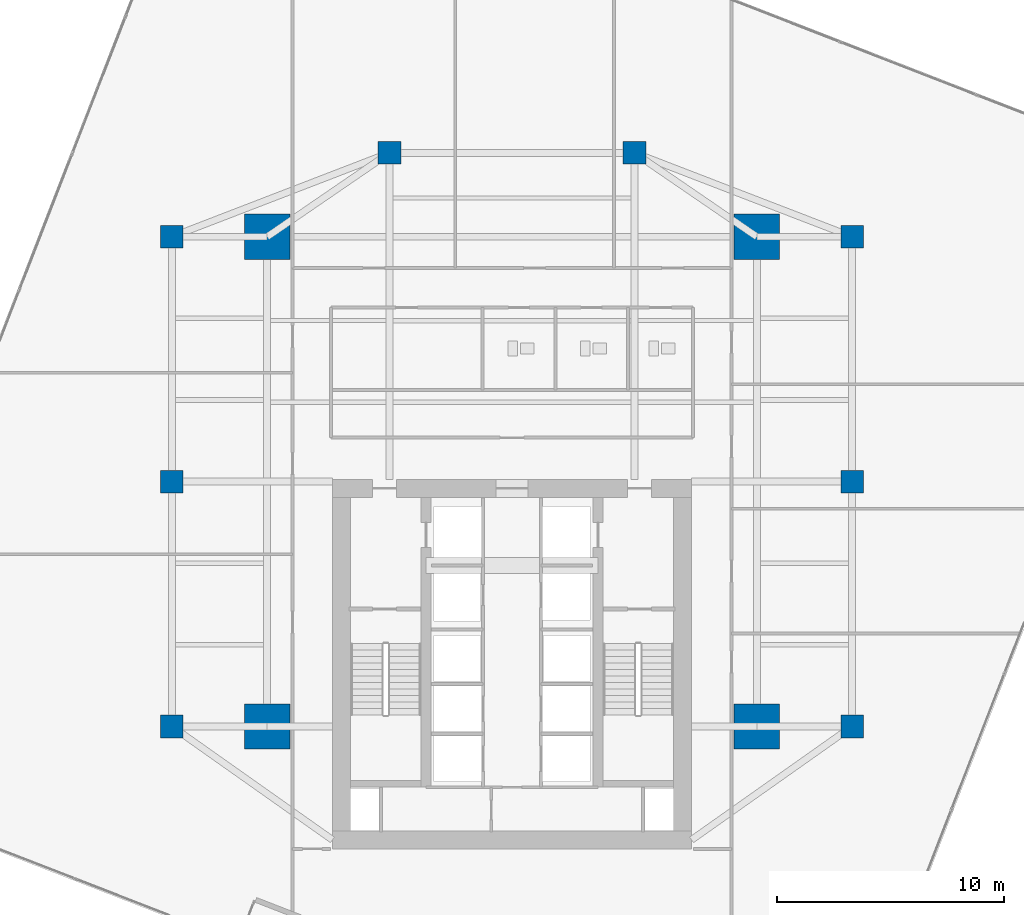
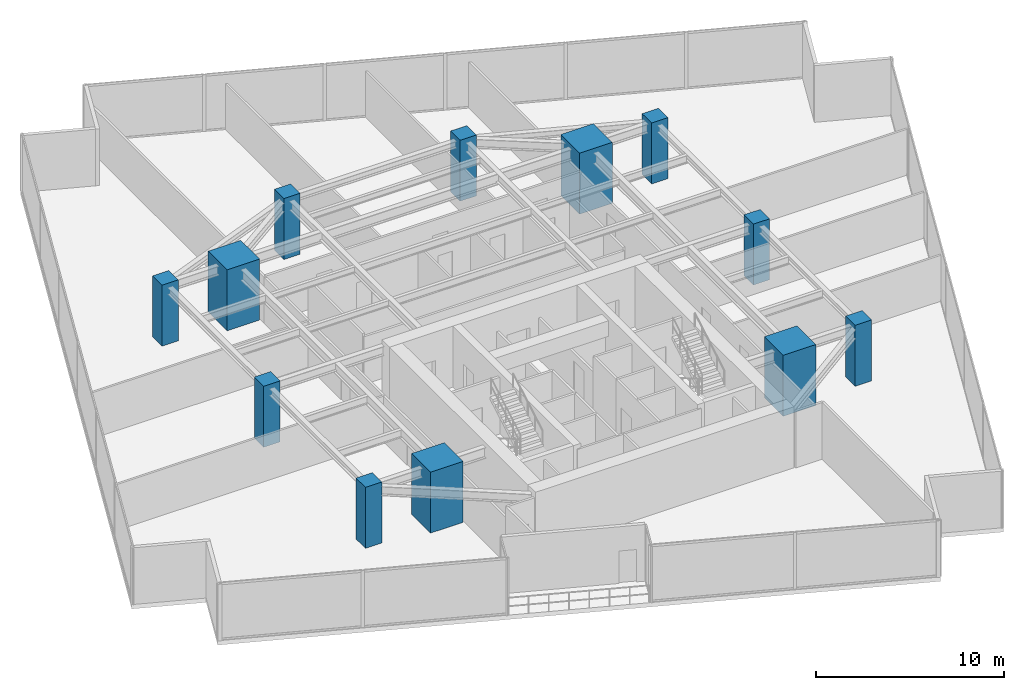
# One storey, part 1 of 26: 12 columns.
"""IFC4 building model written with IfcOpenShell, lengths in metres."""

from ifc_helpers import new_model, si_unit, direction, frame, origin, origin_2d, place, context, subcontext, project, spatial, rectangle, extrude, source, transform, mapped, material, material_profile, profile_set, type_object, type_shapes, element, save


model = new_model("IFC4")

# Units and contexts
model_context = context("Model", 3, precision=1e-05, world=origin(), true_north=direction((0.0, 1.0)))
body_context = subcontext(model_context, "Body", "Model", "MODEL_VIEW")
ifc_project = project(units=[si_unit("LENGTHUNIT", "METRE"), si_unit("AREAUNIT", "SQUARE_METRE"), si_unit("VOLUMEUNIT", "CUBIC_METRE"), si_unit("PLANEANGLEUNIT", "RADIAN"), si_unit("MASSUNIT", "GRAM", prefix="KILO")], contexts=[model_context])

# Site, building, storey
site_placement = place(None, origin())
site = spatial("IfcSite", under=ifc_project, at=site_placement, CompositionType="ELEMENT")
building_placement = place(site_placement, origin())
building = spatial("IfcBuilding", under=site, at=building_placement, Name="Krantzveldt Concourse Tower", CompositionType="ELEMENT")
storey_placement = place(building_placement, frame((0.0, 0.0, 133.5)))
storey = spatial("IfcBuildingStorey", under=building, at=storey_placement, Name="L32", CompositionType="ELEMENT", Elevation=133.5)

# Columns
ifc_material = material(Name="Concrete C60/75", Category="concrete")
ifc_material_profile_1 = material_profile(ifc_material, rectangle(XDim=2.0, YDim=2.0, at=origin_2d()), Name="Concrete C60/75", Category="concrete")
ifc_profile_set_1 = profile_set([ifc_material_profile_1], Name="Concrete C60/75 - RC 2000x2000")
column_type_1 = type_object("IfcColumnType", Name="COL-MC-2000", PredefinedType="USERDEFINED", material=ifc_profile_set_1)
shared_shape_1 = source(origin(), body_context, "Body", "SweptSolid", [
    extrude(rectangle(XDim=2.0, YDim=2.0, at=origin_2d()), origin(), (0.0, 0.0, 1.0), 3.949951171875),
])
type_shapes(column_type_1, [shared_shape_1])
for number, where, z_axis, x_axis, name in (
    (1, (25.199951171875, 15.89990234375, 0.0), (0.0, 0.0, 1.0), (1.0, 0.0, 0.0), "MC-SW-L32"),
    (2, (46.800048828125, 15.89990234375, 0.0), (0.0, 0.0, 1.0), (1.0, 0.0, 0.0), "MC-SE-L32"),
    (3, (46.800048828125, 37.5, 0.0), (0.0, 0.0, 1.0), (1.0, 0.0, 0.0), "MC-NE-L32"),
    (4, (25.199951171875, 37.5, 0.0), (0.0, 0.0, 1.0), (1.0, 0.0, 0.0), "MC-NW-L32"),
):
    element("IfcColumn", number, at=place(storey_placement, frame(where, z_axis=z_axis, x_axis=x_axis)), inside=storey, type_object=column_type_1, Name=name, ObjectType="MEGA COLUMN", PredefinedType="USERDEFINED", context=body_context, shape_type="MappedRepresentation", body=[
        mapped(shared_shape_1, transform((0.0, 0.0, 0.0), x_axis=(1.0, 0.0, 0.0), y_axis=(0.0, 1.0, 0.0), z_axis=(0.0, 0.0, 1.0), scale=1.0)),
    ])
ifc_material_profile_2 = material_profile(ifc_material, rectangle(XDim=1.0, YDim=1.0, at=origin_2d()), Name="Concrete C60/75", Category="concrete")
ifc_profile_set_2 = profile_set([ifc_material_profile_2], Name="Concrete C60/75 - RC 1000x1000")
column_type_2 = type_object("IfcColumnType", Name="COL-C-Z2", PredefinedType="COLUMN", material=ifc_profile_set_2)
shared_shape_2 = source(origin(), body_context, "Body", "SweptSolid", [
    extrude(rectangle(XDim=1.0, YDim=1.0, at=origin_2d()), origin(), (0.0, 0.0, 1.0), 3.949951171875),
])
type_shapes(column_type_2, [shared_shape_2])
for number, where, z_axis, x_axis, name in (
    (5, (21.0, 15.89990234375, 0.0), (0.0, 0.0, 1.0), (1.0, 0.0, 0.0), "PC-R01-L32"),
    (6, (21.0, 26.699951171875, 0.0), (0.0, 0.0, 1.0), (1.0, 0.0, 0.0), "PC-R02-L32"),
    (7, (21.0, 37.5, 0.0), (0.0, 0.0, 1.0), (1.0, 0.0, 0.0), "PC-R03-L32"),
    (8, (30.60009765625, 41.199951171875, 0.0), (0.0, 0.0, 1.0), (1.0, 0.0, 0.0), "PC-R04-L32"),
    (9, (41.39990234375, 41.199951171875, 0.0), (0.0, 0.0, 1.0), (1.0, 0.0, 0.0), "PC-R05-L32"),
    (10, (51.0, 37.5, 0.0), (0.0, 0.0, 1.0), (1.0, 0.0, 0.0), "PC-R06-L32"),
    (11, (51.0, 26.699951171875, 0.0), (0.0, 0.0, 1.0), (1.0, 0.0, 0.0), "PC-R07-L32"),
    (12, (51.0, 15.89990234375, 0.0), (0.0, 0.0, 1.0), (1.0, 0.0, 0.0), "PC-R08-L32"),
):
    element("IfcColumn", number, at=place(storey_placement, frame(where, z_axis=z_axis, x_axis=x_axis)), inside=storey, type_object=column_type_2, Name=name, PredefinedType="COLUMN", context=body_context, shape_type="MappedRepresentation", body=[
        mapped(shared_shape_2, transform((0.0, 0.0, 0.0), x_axis=(1.0, 0.0, 0.0), y_axis=(0.0, 1.0, 0.0), z_axis=(0.0, 0.0, 1.0), scale=1.0)),
    ])

save(model, "model.ifc")
